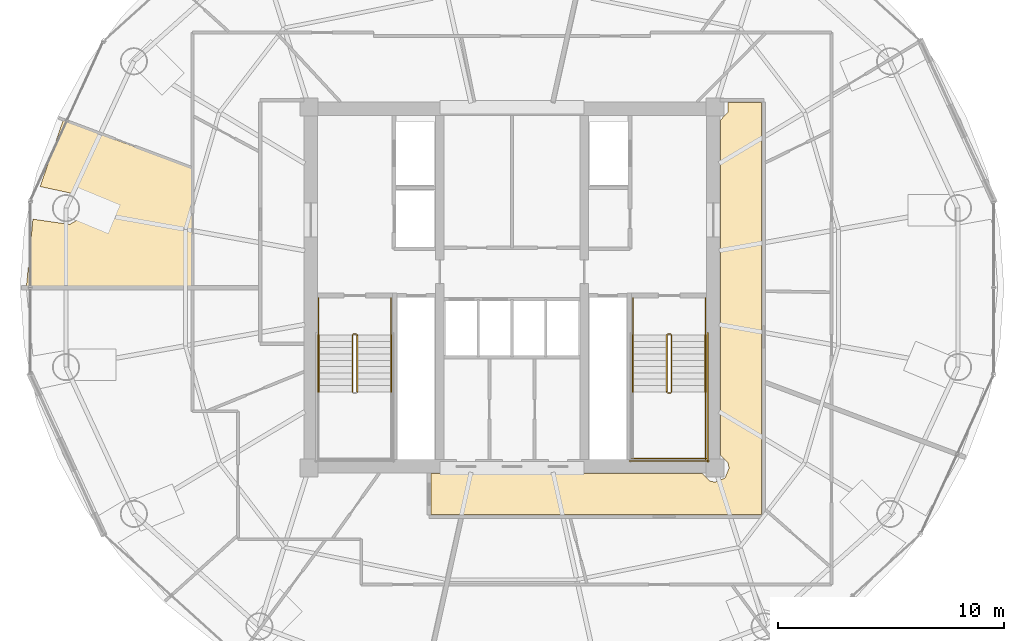
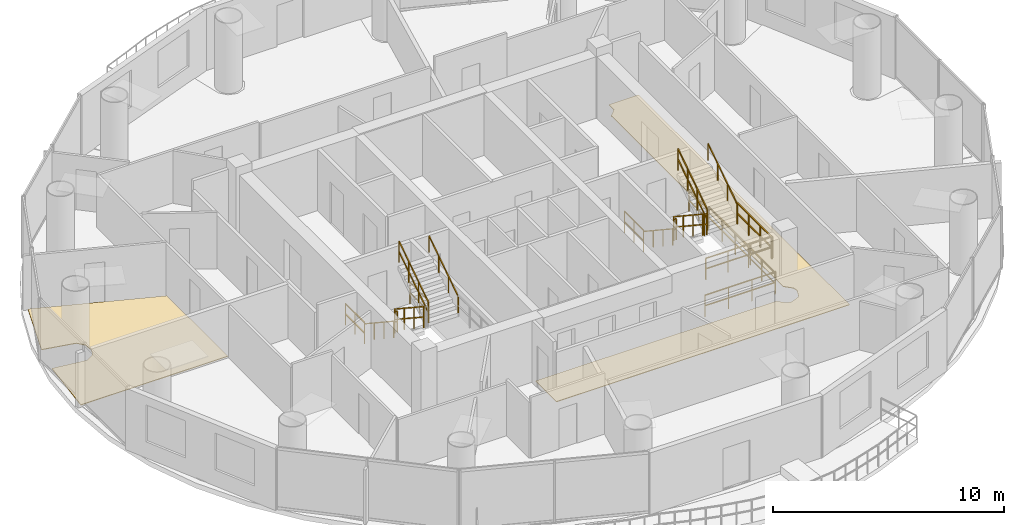
# One storey, part 25 of 26: 19 railings, 2 coverings.
"""IFC4 building model written with IfcOpenShell, lengths in metres."""

import ifcopenshell
import ifcopenshell.guid

model = None  # the IFC model being written
_history = None  # IfcOwnerHistory: only IFC2X3 demands one
_inside = {}  # id of a spatial element -> (the spatial element, [elements in it])
_under = {}  # id of a project, library or spatial element -> (it, [spatial elements below it])
_declared = {}  # id of a project -> (the project, [libraries it declares])
_typed = {}  # id of a type object -> (the type object, [elements of that type])
_made_of = {}  # id of a material, layer set ... -> (it, [elements and type objects made of it])


def new_model(schema):
    """Start an empty IFC model of exactly this schema.

    Asked for "IFC4X3", IfcOpenShell would pick the latest addendum, in which some entities
    have other attributes; the version numbers below select the first issue.
    IFC2X3 requires an IfcOwnerHistory on every rooted entity: one is made here for all.
    """
    global model, _history
    if schema == "IFC4X3":
        model = ifcopenshell.file(schema_version=(4, 3, 0, 0))
    else:
        model = ifcopenshell.file(schema=schema)
    _inside.clear()
    _under.clear()
    _declared.clear()
    _typed.clear()
    _made_of.clear()
    _history = None
    if model.schema == "IFC2X3":
        org = make("IfcOrganization", Name="unknown")
        user = make(
            "IfcPersonAndOrganization",
            ThePerson=make("IfcPerson", FamilyName="unknown"),
            TheOrganization=org,
        )
        app = make(
            "IfcApplication",
            ApplicationDeveloper=org,
            Version="unknown",
            ApplicationFullName="unknown",
            ApplicationIdentifier="unknown",
        )
        _history = make(
            "IfcOwnerHistory",
            OwningUser=user,
            OwningApplication=app,
            ChangeAction="ADDED",
            CreationDate=0,
        )
    return model


def make(cls, **values):
    """One entity of the class cls with the attributes given. An attribute that is None is left unset."""
    return model.create_entity(
        cls, **{name: value for name, value in values.items() if value is not None}
    )


def rooted(cls, **values):
    """An entity with a GlobalId (a new one), such as an element, a storey or a relation."""
    return make(cls, GlobalId=ifcopenshell.guid.new(), OwnerHistory=_history, **values)


def si_unit(unit_type, name, prefix=None):
    """IfcSIUnit, for example si_unit("LENGTHUNIT", "METRE", prefix="MILLI")."""
    return make("IfcSIUnit", UnitType=unit_type, Prefix=prefix, Name=name)


def assignment(units):
    """IfcUnitAssignment: the units of a project."""
    return None if units is None else make("IfcUnitAssignment", Units=units)


def point(xyz):
    """IfcCartesianPoint."""
    return None if xyz is None else make("IfcCartesianPoint", Coordinates=xyz)


def direction(xyz):
    """IfcDirection."""
    return None if xyz is None else make("IfcDirection", DirectionRatios=xyz)


def frame(location, z_axis=None, x_axis=None):
    """IfcAxis2Placement3D, a coordinate frame: its origin and axes. An axis left out is left unset."""
    return make(
        "IfcAxis2Placement3D",
        Location=point(location),
        Axis=direction(z_axis),
        RefDirection=direction(x_axis),
    )


def frame_2d(location, x_axis=None):
    """IfcAxis2Placement2D, a coordinate frame in the plane: its origin and x axis."""
    return make(
        "IfcAxis2Placement2D", Location=point(location), RefDirection=direction(x_axis)
    )


def origin():
    """The frame at (0, 0, 0) with its axes left unset."""
    return frame((0.0, 0.0, 0.0))


def origin_2d():
    """The frame at (0, 0) in the plane with its x axis left unset."""
    return frame_2d((0.0, 0.0))


def place(relative_to, where):
    """IfcLocalPlacement: puts the frame where relative to a parent placement (None: the world)."""
    return make(
        "IfcLocalPlacement", PlacementRelTo=relative_to, RelativePlacement=where
    )


def context(
    kind, dimensions, precision=None, world=None, true_north=None, identifier=None
):
    """IfcGeometricRepresentationContext, for example the 3D "Model" context."""
    return make(
        "IfcGeometricRepresentationContext",
        ContextIdentifier=identifier,
        ContextType=kind,
        CoordinateSpaceDimension=dimensions,
        Precision=precision,
        WorldCoordinateSystem=world,
        TrueNorth=true_north,
    )


def subcontext(parent, identifier, kind, view, scale=None):
    """IfcGeometricRepresentationSubContext, for example "Body" below "Model"."""
    return make(
        "IfcGeometricRepresentationSubContext",
        ContextIdentifier=identifier,
        ContextType=kind,
        ParentContext=parent,
        TargetScale=scale,
        TargetView=view,
    )


def project(units=None, contexts=None):
    """IfcProject with its units and contexts."""
    return rooted(
        "IfcProject",
        Name="project",
        RepresentationContexts=contexts,
        UnitsInContext=assignment(units),
    )


def spatial(cls, under=None, at=None, **own):
    """A site, building, storey or space (cls), placed at a placement, below another one or the project."""
    s = rooted(cls, ObjectPlacement=at, **own)
    if under is not None:
        _under.setdefault(under.id(), (under, []))[1].append(s)
    return s


def polyline(points):
    """IfcPolyline through the points."""
    return make("IfcPolyline", Points=[point(p) for p in points])


def profile(cls, at=None, kind="AREA", **sizes):
    """A parametric profile (cls). Its sizes go by their IFC names, for example OverallWidth=200.0."""
    return make(cls, ProfileType=kind, Position=at, **sizes)


def rectangle(**sizes):
    """IfcRectangleProfileDef."""
    return profile("IfcRectangleProfileDef", **sizes)


def outline(outer, holes=None, kind="AREA"):
    """IfcArbitraryClosedProfileDef: a profile drawn as a closed curve; with holes, ...WithVoids."""
    if holes is None:
        return make("IfcArbitraryClosedProfileDef", ProfileType=kind, OuterCurve=outer)
    return make(
        "IfcArbitraryProfileDefWithVoids",
        ProfileType=kind,
        OuterCurve=outer,
        InnerCurves=holes,
    )


def extrude(swept, where, along, depth):
    """IfcExtrudedAreaSolid: the profile swept, set in the frame where, extruded along a direction by depth."""
    return make(
        "IfcExtrudedAreaSolid",
        SweptArea=swept,
        Position=where,
        ExtrudedDirection=direction(along),
        Depth=depth,
    )


def shape(context_of_items, identifier, shape_type, items):
    """IfcShapeRepresentation: the items that make up one representation, for example the "Body"."""
    return make(
        "IfcShapeRepresentation",
        ContextOfItems=context_of_items,
        RepresentationIdentifier=identifier,
        RepresentationType=shape_type,
        Items=items,
    )


def material(Name=None, Category=None):
    """IfcMaterial."""
    return make("IfcMaterial", Name=Name, Category=Category)


def layer(
    of_material, thickness, ventilated=None, Name=None, Category=None, Priority=None
):
    """IfcMaterialLayer: one layer of a wall or slab, of a material (None: an air gap)."""
    return make(
        "IfcMaterialLayer",
        Material=of_material,
        LayerThickness=thickness,
        IsVentilated=ventilated,
        Name=Name,
        Category=Category,
        Priority=Priority,
    )


def layer_set(layers, Name=None):
    """IfcMaterialLayerSet."""
    return make("IfcMaterialLayerSet", MaterialLayers=layers, LayerSetName=Name)


def made_of(thing, what):
    """Note that an element or type object is made of a material, layer set ...; save() writes the relation."""
    if what is not None:
        _made_of.setdefault(what.id(), (what, []))[1].append(thing)
    return thing


def type_object(cls, material=None, **own):
    """A type object (cls), such as IfcWallType, which elements share."""
    return made_of(rooted(cls, **own), material)


def element(
    cls,
    number,
    at=None,
    inside=None,
    cuts=None,
    type_object=None,
    material=None,
    context=None,
    identifier="Body",
    shape_type=None,
    held_by="IfcProductDefinitionShape",
    body=None,
    shapes=None,
    **own,
):
    """One element of the class cls, such as IfcWall. Its Tag is "e" and its number.

    at: its placement. inside: the storey or other place that contains it. cuts: it is an
    opening in that element (IfcRelVoidsElement). A single representation is given by context,
    identifier, shape_type and body (its items); several are given by shapes. held_by: the class
    of the entity that holds the representations. save() writes the other relations.
    """
    e = rooted(cls, Tag="e%d" % number, ObjectPlacement=at, **own)
    if body is not None:
        shapes = [shape(context, identifier, shape_type, body)]
    if shapes is not None:
        e.Representation = make(held_by, Representations=shapes)
    if inside is not None:
        _inside.setdefault(inside.id(), (inside, []))[1].append(e)
    if cuts is not None:
        rooted(
            "IfcRelVoidsElement", RelatingBuildingElement=cuts, RelatedOpeningElement=e
        )
    if type_object is not None:
        _typed.setdefault(type_object.id(), (type_object, []))[1].append(e)
    return made_of(e, material)


def aggregate(whole, parts):
    """IfcRelAggregates: a whole, such as a stair, and the parts it consists of."""
    return rooted("IfcRelAggregates", RelatingObject=whole, RelatedObjects=parts)


def save(model, path):
    """Write the relations noted so far, then the file.

    IfcRelAggregates (storeys below a building ...), IfcRelContainedInSpatialStructure (elements
    in a storey), IfcRelDefinesByType, IfcRelAssociatesMaterial and IfcRelDeclares: one each for
    every whole, place, type object, material and project.
    """
    for whole, parts in _under.values():
        aggregate(whole, parts)
    for where, things in _inside.values():
        rooted(
            "IfcRelContainedInSpatialStructure",
            RelatedElements=things,
            RelatingStructure=where,
        )
    for kind, things in _typed.values():
        rooted("IfcRelDefinesByType", RelatedObjects=things, RelatingType=kind)
    for what, things in _made_of.values():
        rooted("IfcRelAssociatesMaterial", RelatedObjects=things, RelatingMaterial=what)
    for by, libraries in _declared.values():
        rooted("IfcRelDeclares", RelatingContext=by, RelatedDefinitions=libraries)
    model.write(path)


model = new_model("IFC4")

# Units and contexts
model_context = context("Model", 3, precision=1e-05, world=origin(), true_north=direction((-0.2419218956, 0.970295726276)))
body_context = subcontext(model_context, "Body", "Model", "MODEL_VIEW")
ifc_project = project(units=[si_unit("LENGTHUNIT", "METRE"), si_unit("AREAUNIT", "SQUARE_METRE"), si_unit("VOLUMEUNIT", "CUBIC_METRE"), si_unit("PLANEANGLEUNIT", "RADIAN"), si_unit("MASSUNIT", "GRAM", prefix="KILO")], contexts=[model_context])

# Site, building, storey
site_placement = place(None, origin())
site = spatial("IfcSite", under=ifc_project, at=site_placement, CompositionType="ELEMENT")
building_placement = place(site_placement, origin())
building = spatial("IfcBuilding", under=site, at=building_placement, Name="Cobrevalo Terracotta Tower", CompositionType="ELEMENT")
storey_placement = place(building_placement, frame((0.0, 0.0, 239.300048828125)))
storey = spatial("IfcBuildingStorey", under=building, at=storey_placement, Name="L63", CompositionType="ELEMENT", Elevation=239.300048828125)

# Coverings
ifc_material_1 = material(Name="Engineered Brazilian hardwood flooring", Category="wood")
ifc_layer_1 = layer(ifc_material_1, 0.028076171875)
ifc_layer_set_1 = layer_set([ifc_layer_1], Name="Engineered Brazilian hardwood flooring")
covering_type_1 = type_object("IfcCoveringType", Name="Engineered Hardwood Suite Flooring 28", PredefinedType="FLOORING", material=ifc_layer_set_1)
covering_1_placement = place(storey_placement, origin())
element("IfcCovering", 1, at=covering_1_placement, inside=storey, type_object=covering_type_1, Name="Flat L63B Penthouse Family Lounge floor finish", PredefinedType="FLOORING", context=body_context, shape_type="SweptSolid", body=[
    extrude(outline(polyline([(23.824951171875, 32.08447265625), (23.824951171875, 26.820068359375), (16.4814453125, 26.820068359375), (16.7734375, 29.83056640625), (18.39599609375, 29.5986328125), (18.770751953125, 29.80859375), (18.9658203125, 30.191650390625), (18.9150390625, 30.6181640625), (18.635986328125, 30.94482421875), (17.09228515625, 31.277099609375), (18.114501953125, 34.221923828125), (23.824951171875, 32.08447265625)])), origin(), (0.0, 0.0, 1.0), 0.030029296875),
])
ifc_material_2 = material(Name="Honed terracotta and granite tile", Category="masonry")
ifc_layer_2 = layer(ifc_material_2, 0.034912109375)
ifc_layer_set_2 = layer_set([ifc_layer_2], Name="Honed terracotta and granite tile")
covering_type_2 = type_object("IfcCoveringType", Name="Honed Terracotta & Granite Interior Flooring 35", PredefinedType="FLOORING", material=ifc_layer_set_2)
covering_2_placement = place(storey_placement, origin())
element("IfcCovering", 2, at=covering_2_placement, inside=storey, type_object=covering_type_2, Name="L63 Residential Floor Corridor 1 floor finish", PredefinedType="FLOORING", context=body_context, shape_type="SweptSolid", body=[
    extrude(outline(polyline([(34.419921875, 18.554931640625), (46.431884765625, 18.554931640625), (46.7626953125, 18.226806640625), (47.0, 18.1796875), (47.438720703125, 18.361328125), (47.620361328125, 18.800048828125), (47.5732421875, 19.037353515625), (47.2451171875, 19.3681640625), (47.2451171875, 34.23193359375), (47.5732421875, 34.5625), (47.57958984375, 35.0048828125), (49.054931640625, 35.0048828125), (49.054931640625, 16.7451171875), (34.419921875, 16.7451171875), (34.419921875, 18.554931640625)])), origin(), (0.0, 0.0, 1.0), 0.030029296875),
])

# Railings
ifc_material_3 = material(Name="Brushed stainless steel", Category="steel")
railing_type_1 = type_object("IfcRailingType", Name="Stainless Steel Stair Handrail 900", PredefinedType="HANDRAIL", material=ifc_material_3)
railing_1_placement = place(storey_placement, frame((29.425048828125, 24.699951171875, 0.18505859375)))
element("IfcRailing", 3, at=railing_1_placement, inside=storey, type_object=railing_type_1, Name="L63 ST-1 stair handrail 1", PredefinedType="HANDRAIL", context=body_context, shape_type="SweptSolid", body=[
    extrude(rectangle(XDim=0.048095703125, YDim=0.048095703125, at=origin_2d()), frame((0.0, 0.0, 0.8759765625), z_axis=(0.0, -0.83436851402, 0.551207023552), x_axis=(1.0, 0.0, 0.0)), (0.0, 0.0, 1.0), 3.020263671875),
    extrude(rectangle(XDim=0.0419921875, YDim=0.0419921875, at=origin_2d()), origin(), (0.0, 0.0, 1.0), 0.851806640625),
    extrude(rectangle(XDim=0.0419921875, YDim=0.0419921875, at=origin_2d()), frame((0.0, -0.840087890625, 0.554931640625)), (0.0, 0.0, 1.0), 0.851806640625),
    extrude(rectangle(XDim=0.0419921875, YDim=0.0419921875, at=origin_2d()), frame((0.0, -1.679931640625, 1.10986328125)), (0.0, 0.0, 1.0), 0.851806640625),
    extrude(rectangle(XDim=0.0419921875, YDim=0.0419921875, at=origin_2d()), frame((0.0, -2.52001953125, 1.664794921875)), (0.0, 0.0, 1.0), 0.851806640625),
])
railing_2_placement = place(storey_placement, frame((32.64501953125, 22.179931640625, 2.034912109375)))
element("IfcRailing", 4, at=railing_2_placement, inside=storey, type_object=railing_type_1, Name="L63 ST-1 stair handrail 2", PredefinedType="HANDRAIL", context=body_context, shape_type="SweptSolid", body=[
    extrude(rectangle(XDim=0.048095703125, YDim=0.048095703125, at=origin_2d()), frame((0.0, 0.0, 0.8759765625), z_axis=(0.0, 0.834331337432, 0.55126329406), x_axis=(-1.0, 0.0, 0.0)), (0.0, 0.0, 1.0), 3.0205078125),
    extrude(rectangle(XDim=0.0419921875, YDim=0.0419921875, at=origin_2d()), origin(), (0.0, 0.0, 1.0), 0.851806640625),
    extrude(rectangle(XDim=0.0419921875, YDim=0.0419921875, at=origin_2d()), frame((0.0, 0.840087890625, 0.554931640625)), (0.0, 0.0, 1.0), 0.851806640625),
    extrude(rectangle(XDim=0.0419921875, YDim=0.0419921875, at=origin_2d()), frame((0.0, 1.679931640625, 1.110107421875)), (0.0, 0.0, 1.0), 0.851806640625),
    extrude(rectangle(XDim=0.0419921875, YDim=0.0419921875, at=origin_2d()), frame((0.0, 2.52001953125, 1.6650390625)), (0.0, 0.0, 1.0), 0.851806640625),
])
railing_3_placement = place(storey_placement, frame((43.35498046875, 24.699951171875, 0.18505859375)))
element("IfcRailing", 5, at=railing_3_placement, inside=storey, type_object=railing_type_1, Name="L63 ST-2 stair handrail 1", PredefinedType="HANDRAIL", context=body_context, shape_type="SweptSolid", body=[
    extrude(rectangle(XDim=0.048095703125, YDim=0.048095703125, at=origin_2d()), frame((0.0, 0.0, 0.8759765625), z_axis=(0.0, -0.83436851402, 0.551207023552), x_axis=(1.0, 0.0, 0.0)), (0.0, 0.0, 1.0), 3.020263671875),
    extrude(rectangle(XDim=0.0419921875, YDim=0.0419921875, at=origin_2d()), origin(), (0.0, 0.0, 1.0), 0.851806640625),
    extrude(rectangle(XDim=0.0419921875, YDim=0.0419921875, at=origin_2d()), frame((0.0, -0.840087890625, 0.554931640625)), (0.0, 0.0, 1.0), 0.851806640625),
    extrude(rectangle(XDim=0.0419921875, YDim=0.0419921875, at=origin_2d()), frame((0.0, -1.679931640625, 1.10986328125)), (0.0, 0.0, 1.0), 0.851806640625),
    extrude(rectangle(XDim=0.0419921875, YDim=0.0419921875, at=origin_2d()), frame((0.0, -2.52001953125, 1.664794921875)), (0.0, 0.0, 1.0), 0.851806640625),
])
railing_4_placement = place(storey_placement, frame((46.574951171875, 22.179931640625, 2.034912109375)))
element("IfcRailing", 6, at=railing_4_placement, inside=storey, type_object=railing_type_1, Name="L63 ST-2 stair handrail 2", PredefinedType="HANDRAIL", context=body_context, shape_type="SweptSolid", body=[
    extrude(rectangle(XDim=0.048095703125, YDim=0.048095703125, at=origin_2d()), frame((0.0, 0.0, 0.8759765625), z_axis=(0.0, 0.834331337432, 0.55126329406), x_axis=(-1.0, 0.0, 0.0)), (0.0, 0.0, 1.0), 3.0205078125),
    extrude(rectangle(XDim=0.0419921875, YDim=0.0419921875, at=origin_2d()), origin(), (0.0, 0.0, 1.0), 0.851806640625),
    extrude(rectangle(XDim=0.0419921875, YDim=0.0419921875, at=origin_2d()), frame((0.0, 0.840087890625, 0.554931640625)), (0.0, 0.0, 1.0), 0.851806640625),
    extrude(rectangle(XDim=0.0419921875, YDim=0.0419921875, at=origin_2d()), frame((0.0, 1.679931640625, 1.110107421875)), (0.0, 0.0, 1.0), 0.851806640625),
    extrude(rectangle(XDim=0.0419921875, YDim=0.0419921875, at=origin_2d()), frame((0.0, 2.52001953125, 1.6650390625)), (0.0, 0.0, 1.0), 0.851806640625),
])
ifc_material_4 = material(Name="Painted galvanized steel", Category="steel")
railing_type_2 = type_object("IfcRailingType", Name="Stair Well Guard Balustrade 1150", PredefinedType="GUARDRAIL", material=ifc_material_4)
railing_5_placement = place(storey_placement, frame((30.925048828125, 24.699951171875, 0.18505859375)))
element("IfcRailing", 7, at=railing_5_placement, inside=storey, type_object=railing_type_2, Name="L63 ST-1 stair guard 1", PredefinedType="GUARDRAIL", context=body_context, shape_type="SweptSolid", body=[
    extrude(rectangle(XDim=0.048095703125, YDim=0.048095703125, at=origin_2d()), frame((0.0, 0.0, 1.1259765625), z_axis=(0.0, -0.83436851402, 0.551207023552), x_axis=(1.0, 0.0, 0.0)), (0.0, 0.0, 1.0), 3.020263671875),
    extrude(rectangle(XDim=0.048095703125, YDim=0.048095703125, at=origin_2d()), frame((0.0, 0.0, 0.574951171875), z_axis=(0.0, -0.83436851402, 0.551207023552), x_axis=(1.0, 0.0, 0.0)), (0.0, 0.0, 1.0), 3.020263671875),
    extrude(rectangle(XDim=0.0419921875, YDim=0.0419921875, at=origin_2d()), origin(), (0.0, 0.0, 1.0), 1.101806640625),
    extrude(rectangle(XDim=0.0419921875, YDim=0.0419921875, at=origin_2d()), frame((0.0, -0.840087890625, 0.554931640625)), (0.0, 0.0, 1.0), 1.101806640625),
    extrude(rectangle(XDim=0.0419921875, YDim=0.0419921875, at=origin_2d()), frame((0.0, -1.679931640625, 1.10986328125)), (0.0, 0.0, 1.0), 1.101806640625),
    extrude(rectangle(XDim=0.0419921875, YDim=0.0419921875, at=origin_2d()), frame((0.0, -2.52001953125, 1.664794921875)), (0.0, 0.0, 1.0), 1.101806640625),
])
railing_6_placement = place(storey_placement, frame((31.14501953125, 22.179931640625, 2.034912109375)))
element("IfcRailing", 8, at=railing_6_placement, inside=storey, type_object=railing_type_2, Name="L63 ST-1 stair guard 6", PredefinedType="GUARDRAIL", context=body_context, shape_type="SweptSolid", body=[
    extrude(rectangle(XDim=0.048095703125, YDim=0.048095703125, at=origin_2d()), frame((0.0, 0.0, 1.1259765625), z_axis=(0.0, 0.834331337432, 0.55126329406), x_axis=(-1.0, 0.0, 0.0)), (0.0, 0.0, 1.0), 3.0205078125),
    extrude(rectangle(XDim=0.048095703125, YDim=0.048095703125, at=origin_2d()), frame((0.0, 0.0, 0.574951171875), z_axis=(0.0, 0.834331337432, 0.55126329406), x_axis=(-1.0, 0.0, 0.0)), (0.0, 0.0, 1.0), 3.0205078125),
    extrude(rectangle(XDim=0.0419921875, YDim=0.0419921875, at=origin_2d()), origin(), (0.0, 0.0, 1.0), 1.101806640625),
    extrude(rectangle(XDim=0.0419921875, YDim=0.0419921875, at=origin_2d()), frame((0.0, 0.840087890625, 0.554931640625)), (0.0, 0.0, 1.0), 1.101806640625),
    extrude(rectangle(XDim=0.0419921875, YDim=0.0419921875, at=origin_2d()), frame((0.0, 1.679931640625, 1.110107421875)), (0.0, 0.0, 1.0), 1.101806640625),
    extrude(rectangle(XDim=0.0419921875, YDim=0.0419921875, at=origin_2d()), frame((0.0, 2.52001953125, 1.6650390625)), (0.0, 0.0, 1.0), 1.101806640625),
])
railing_7_placement = place(storey_placement, frame((30.97509765625, 24.75, 0.0)))
element("IfcRailing", 9, at=railing_7_placement, inside=storey, type_object=railing_type_2, Name="L63 ST-1 stair guard 7", PredefinedType="GUARDRAIL", context=body_context, shape_type="SweptSolid", body=[
    extrude(rectangle(XDim=0.048095703125, YDim=0.048095703125, at=origin_2d()), frame((0.0, 0.0, 1.1259765625), z_axis=(1.0, 0.0, 0.0), x_axis=(0.0, 1.0, 0.0)), (0.0, 0.0, 1.0), 0.119873046875),
    extrude(rectangle(XDim=0.048095703125, YDim=0.048095703125, at=origin_2d()), frame((0.0, 0.0, 0.574951171875), z_axis=(1.0, 0.0, 0.0), x_axis=(0.0, 1.0, 0.0)), (0.0, 0.0, 1.0), 0.119873046875),
    extrude(rectangle(XDim=0.0419921875, YDim=0.0419921875, at=origin_2d()), origin(), (0.0, 0.0, 1.0), 1.101806640625),
    extrude(rectangle(XDim=0.0419921875, YDim=0.0419921875, at=origin_2d()), frame((0.119873046875, 0.0, 0.0)), (0.0, 0.0, 1.0), 1.101806640625),
])
for number, where, name in (
    (10, (29.425048828125, 26.35009765625, 0.0), "L63 ST-1 stair guard 8"),
    (11, (32.64501953125, 26.35009765625, 0.0), "L63 ST-1 stair guard 9"),
):
    element("IfcRailing", number, at=place(storey_placement, frame(where)), inside=storey, type_object=railing_type_2, Name=name, PredefinedType="GUARDRAIL", context=body_context, shape_type="SweptSolid", body=[
        extrude(rectangle(XDim=0.048095703125, YDim=0.048095703125, at=origin_2d()), frame((0.0, 0.0, 1.1259765625), z_axis=(0.0, -1.0, 0.0), x_axis=(1.0, 0.0, 0.0)), (0.0, 0.0, 1.0), 1.650146484375),
        extrude(rectangle(XDim=0.048095703125, YDim=0.048095703125, at=origin_2d()), frame((0.0, 0.0, 0.574951171875), z_axis=(0.0, -1.0, 0.0), x_axis=(1.0, 0.0, 0.0)), (0.0, 0.0, 1.0), 1.650146484375),
        extrude(rectangle(XDim=0.0419921875, YDim=0.0419921875, at=origin_2d()), origin(), (0.0, 0.0, 1.0), 1.101806640625),
        extrude(rectangle(XDim=0.0419921875, YDim=0.0419921875, at=origin_2d()), frame((0.0, -0.8251953125, 0.0)), (0.0, 0.0, 1.0), 1.101806640625),
        extrude(rectangle(XDim=0.0419921875, YDim=0.0419921875, at=origin_2d()), frame((0.0, -1.650146484375, 0.0)), (0.0, 0.0, 1.0), 1.101806640625),
    ])
railing_8_placement = place(storey_placement, frame((44.85498046875, 24.699951171875, 0.18505859375)))
element("IfcRailing", 12, at=railing_8_placement, inside=storey, type_object=railing_type_2, Name="L63 ST-2 stair guard 1", PredefinedType="GUARDRAIL", context=body_context, shape_type="SweptSolid", body=[
    extrude(rectangle(XDim=0.048095703125, YDim=0.048095703125, at=origin_2d()), frame((0.0, 0.0, 1.1259765625), z_axis=(0.0, -0.83436851402, 0.551207023552), x_axis=(1.0, 0.0, 0.0)), (0.0, 0.0, 1.0), 3.020263671875),
    extrude(rectangle(XDim=0.048095703125, YDim=0.048095703125, at=origin_2d()), frame((0.0, 0.0, 0.574951171875), z_axis=(0.0, -0.83436851402, 0.551207023552), x_axis=(1.0, 0.0, 0.0)), (0.0, 0.0, 1.0), 3.020263671875),
    extrude(rectangle(XDim=0.0419921875, YDim=0.0419921875, at=origin_2d()), origin(), (0.0, 0.0, 1.0), 1.101806640625),
    extrude(rectangle(XDim=0.0419921875, YDim=0.0419921875, at=origin_2d()), frame((0.0, -0.840087890625, 0.554931640625)), (0.0, 0.0, 1.0), 1.101806640625),
    extrude(rectangle(XDim=0.0419921875, YDim=0.0419921875, at=origin_2d()), frame((0.0, -1.679931640625, 1.10986328125)), (0.0, 0.0, 1.0), 1.101806640625),
    extrude(rectangle(XDim=0.0419921875, YDim=0.0419921875, at=origin_2d()), frame((0.0, -2.52001953125, 1.664794921875)), (0.0, 0.0, 1.0), 1.101806640625),
])
railing_9_placement = place(storey_placement, frame((44.905029296875, 22.1298828125, 1.849853515625)))
element("IfcRailing", 13, at=railing_9_placement, inside=storey, type_object=railing_type_2, Name="L63 ST-2 stair guard 2", PredefinedType="GUARDRAIL", context=body_context, shape_type="SweptSolid", body=[
    extrude(rectangle(XDim=0.048095703125, YDim=0.048095703125, at=origin_2d()), frame((0.0, 0.0, 1.1259765625), z_axis=(1.0, 0.0, 0.0), x_axis=(0.0, 1.0, 0.0)), (0.0, 0.0, 1.0), 0.119873046875),
    extrude(rectangle(XDim=0.048095703125, YDim=0.048095703125, at=origin_2d()), frame((0.0, 0.0, 0.574951171875), z_axis=(1.0, 0.0, 0.0), x_axis=(0.0, 1.0, 0.0)), (0.0, 0.0, 1.0), 0.119873046875),
    extrude(rectangle(XDim=0.0419921875, YDim=0.0419921875, at=origin_2d()), origin(), (0.0, 0.0, 1.0), 1.101806640625),
    extrude(rectangle(XDim=0.0419921875, YDim=0.0419921875, at=origin_2d()), frame((0.119873046875, 0.0, 0.0)), (0.0, 0.0, 1.0), 1.101806640625),
])
railing_10_placement = place(storey_placement, frame((46.574951171875, 22.179931640625, 1.849853515625)))
element("IfcRailing", 14, at=railing_10_placement, inside=storey, type_object=railing_type_2, Name="L63 ST-2 stair guard 4", PredefinedType="GUARDRAIL", context=body_context, shape_type="SweptSolid", body=[
    extrude(rectangle(XDim=0.048095703125, YDim=0.048095703125, at=origin_2d()), frame((0.0, 0.0, 1.1259765625), z_axis=(0.0, -1.0, 0.0), x_axis=(1.0, 0.0, 0.0)), (0.0, 0.0, 1.0), 3.0048828125),
    extrude(rectangle(XDim=0.048095703125, YDim=0.048095703125, at=origin_2d()), frame((0.0, 0.0, 0.574951171875), z_axis=(0.0, -1.0, 0.0), x_axis=(1.0, 0.0, 0.0)), (0.0, 0.0, 1.0), 3.0048828125),
    extrude(rectangle(XDim=0.0419921875, YDim=0.0419921875, at=origin_2d()), origin(), (0.0, 0.0, 1.0), 1.101806640625),
    extrude(rectangle(XDim=0.0419921875, YDim=0.0419921875, at=origin_2d()), frame((0.0, -1.001708984375, 0.0)), (0.0, 0.0, 1.0), 1.101806640625),
    extrude(rectangle(XDim=0.0419921875, YDim=0.0419921875, at=origin_2d()), frame((0.0, -2.003173828125, 0.0)), (0.0, 0.0, 1.0), 1.101806640625),
    extrude(rectangle(XDim=0.0419921875, YDim=0.0419921875, at=origin_2d()), frame((0.0, -3.0048828125, 0.0)), (0.0, 0.0, 1.0), 1.101806640625),
])
railing_11_placement = place(storey_placement, frame((43.304931640625, 19.22509765625, 1.849853515625)))
element("IfcRailing", 15, at=railing_11_placement, inside=storey, type_object=railing_type_2, Name="L63 ST-2 stair guard 5", PredefinedType="GUARDRAIL", context=body_context, shape_type="SweptSolid", body=[
    extrude(rectangle(XDim=0.048095703125, YDim=0.048095703125, at=origin_2d()), frame((0.0, 0.0, 1.1259765625), z_axis=(1.0, 0.0, 0.0), x_axis=(0.0, 1.0, 0.0)), (0.0, 0.0, 1.0), 3.320068359375),
    extrude(rectangle(XDim=0.048095703125, YDim=0.048095703125, at=origin_2d()), frame((0.0, 0.0, 0.574951171875), z_axis=(1.0, 0.0, 0.0), x_axis=(0.0, 1.0, 0.0)), (0.0, 0.0, 1.0), 3.320068359375),
    extrude(rectangle(XDim=0.0419921875, YDim=0.0419921875, at=origin_2d()), origin(), (0.0, 0.0, 1.0), 1.101806640625),
    extrude(rectangle(XDim=0.0419921875, YDim=0.0419921875, at=origin_2d()), frame((1.106689453125, 0.0, 0.0)), (0.0, 0.0, 1.0), 1.101806640625),
    extrude(rectangle(XDim=0.0419921875, YDim=0.0419921875, at=origin_2d()), frame((2.21337890625, 0.0, 0.0)), (0.0, 0.0, 1.0), 1.101806640625),
    extrude(rectangle(XDim=0.0419921875, YDim=0.0419921875, at=origin_2d()), frame((3.320068359375, 0.0, 0.0)), (0.0, 0.0, 1.0), 1.101806640625),
])
railing_12_placement = place(storey_placement, frame((45.074951171875, 22.179931640625, 2.034912109375)))
element("IfcRailing", 16, at=railing_12_placement, inside=storey, type_object=railing_type_2, Name="L63 ST-2 stair guard 6", PredefinedType="GUARDRAIL", context=body_context, shape_type="SweptSolid", body=[
    extrude(rectangle(XDim=0.048095703125, YDim=0.048095703125, at=origin_2d()), frame((0.0, 0.0, 1.1259765625), z_axis=(0.0, 0.834331337432, 0.55126329406), x_axis=(-1.0, 0.0, 0.0)), (0.0, 0.0, 1.0), 3.0205078125),
    extrude(rectangle(XDim=0.048095703125, YDim=0.048095703125, at=origin_2d()), frame((0.0, 0.0, 0.574951171875), z_axis=(0.0, 0.834331337432, 0.55126329406), x_axis=(-1.0, 0.0, 0.0)), (0.0, 0.0, 1.0), 3.0205078125),
    extrude(rectangle(XDim=0.0419921875, YDim=0.0419921875, at=origin_2d()), origin(), (0.0, 0.0, 1.0), 1.101806640625),
    extrude(rectangle(XDim=0.0419921875, YDim=0.0419921875, at=origin_2d()), frame((0.0, 0.840087890625, 0.554931640625)), (0.0, 0.0, 1.0), 1.101806640625),
    extrude(rectangle(XDim=0.0419921875, YDim=0.0419921875, at=origin_2d()), frame((0.0, 1.679931640625, 1.110107421875)), (0.0, 0.0, 1.0), 1.101806640625),
    extrude(rectangle(XDim=0.0419921875, YDim=0.0419921875, at=origin_2d()), frame((0.0, 2.52001953125, 1.6650390625)), (0.0, 0.0, 1.0), 1.101806640625),
])
railing_13_placement = place(storey_placement, frame((44.905029296875, 24.75, 0.0)))
element("IfcRailing", 17, at=railing_13_placement, inside=storey, type_object=railing_type_2, Name="L63 ST-2 stair guard 7", PredefinedType="GUARDRAIL", context=body_context, shape_type="SweptSolid", body=[
    extrude(rectangle(XDim=0.048095703125, YDim=0.048095703125, at=origin_2d()), frame((0.0, 0.0, 1.1259765625), z_axis=(1.0, 0.0, 0.0), x_axis=(0.0, 1.0, 0.0)), (0.0, 0.0, 1.0), 0.119873046875),
    extrude(rectangle(XDim=0.048095703125, YDim=0.048095703125, at=origin_2d()), frame((0.0, 0.0, 0.574951171875), z_axis=(1.0, 0.0, 0.0), x_axis=(0.0, 1.0, 0.0)), (0.0, 0.0, 1.0), 0.119873046875),
    extrude(rectangle(XDim=0.0419921875, YDim=0.0419921875, at=origin_2d()), origin(), (0.0, 0.0, 1.0), 1.101806640625),
    extrude(rectangle(XDim=0.0419921875, YDim=0.0419921875, at=origin_2d()), frame((0.119873046875, 0.0, 0.0)), (0.0, 0.0, 1.0), 1.101806640625),
])
for number, where, name in (
    (18, (43.35498046875, 26.35009765625, 0.0), "L63 ST-2 stair guard 8"),
    (19, (46.574951171875, 26.35009765625, 0.0), "L63 ST-2 stair guard 9"),
):
    element("IfcRailing", number, at=place(storey_placement, frame(where)), inside=storey, type_object=railing_type_2, Name=name, PredefinedType="GUARDRAIL", context=body_context, shape_type="SweptSolid", body=[
        extrude(rectangle(XDim=0.048095703125, YDim=0.048095703125, at=origin_2d()), frame((0.0, 0.0, 1.1259765625), z_axis=(0.0, -1.0, 0.0), x_axis=(1.0, 0.0, 0.0)), (0.0, 0.0, 1.0), 1.650146484375),
        extrude(rectangle(XDim=0.048095703125, YDim=0.048095703125, at=origin_2d()), frame((0.0, 0.0, 0.574951171875), z_axis=(0.0, -1.0, 0.0), x_axis=(1.0, 0.0, 0.0)), (0.0, 0.0, 1.0), 1.650146484375),
        extrude(rectangle(XDim=0.0419921875, YDim=0.0419921875, at=origin_2d()), origin(), (0.0, 0.0, 1.0), 1.101806640625),
        extrude(rectangle(XDim=0.0419921875, YDim=0.0419921875, at=origin_2d()), frame((0.0, -0.8251953125, 0.0)), (0.0, 0.0, 1.0), 1.101806640625),
        extrude(rectangle(XDim=0.0419921875, YDim=0.0419921875, at=origin_2d()), frame((0.0, -1.650146484375, 0.0)), (0.0, 0.0, 1.0), 1.101806640625),
    ])
railing_14_placement = place(storey_placement, frame((46.675048828125, 24.800048828125, 0.0)))
element("IfcRailing", 20, at=railing_14_placement, inside=storey, type_object=railing_type_2, Name="L63 ST-2 stair guard 11", PredefinedType="GUARDRAIL", context=body_context, shape_type="SweptSolid", body=[
    extrude(rectangle(XDim=0.048095703125, YDim=0.048095703125, at=origin_2d()), frame((0.0, 0.0, 1.1259765625), z_axis=(0.0, -1.0, 0.0), x_axis=(1.0, 0.0, 0.0)), (0.0, 0.0, 1.0), 5.72509765625),
    extrude(rectangle(XDim=0.048095703125, YDim=0.048095703125, at=origin_2d()), frame((0.0, 0.0, 0.574951171875), z_axis=(0.0, -1.0, 0.0), x_axis=(1.0, 0.0, 0.0)), (0.0, 0.0, 1.0), 5.72509765625),
    extrude(rectangle(XDim=0.0419921875, YDim=0.0419921875, at=origin_2d()), origin(), (0.0, 0.0, 1.0), 1.101806640625),
    extrude(rectangle(XDim=0.0419921875, YDim=0.0419921875, at=origin_2d()), frame((0.0, -1.14501953125, 0.0)), (0.0, 0.0, 1.0), 1.101806640625),
    extrude(rectangle(XDim=0.0419921875, YDim=0.0419921875, at=origin_2d()), frame((0.0, -2.2900390625, 0.0)), (0.0, 0.0, 1.0), 1.101806640625),
    extrude(rectangle(XDim=0.0419921875, YDim=0.0419921875, at=origin_2d()), frame((0.0, -3.43505859375, 0.0)), (0.0, 0.0, 1.0), 1.101806640625),
    extrude(rectangle(XDim=0.0419921875, YDim=0.0419921875, at=origin_2d()), frame((0.0, -4.580078125, 0.0)), (0.0, 0.0, 1.0), 1.101806640625),
    extrude(rectangle(XDim=0.0419921875, YDim=0.0419921875, at=origin_2d()), frame((0.0, -5.72509765625, 0.0)), (0.0, 0.0, 1.0), 1.101806640625),
])
railing_15_placement = place(storey_placement, frame((43.205078125, 19.125, 0.0)))
element("IfcRailing", 21, at=railing_15_placement, inside=storey, type_object=railing_type_2, Name="L63 ST-2 stair guard 12", PredefinedType="GUARDRAIL", context=body_context, shape_type="SweptSolid", body=[
    extrude(rectangle(XDim=0.048095703125, YDim=0.048095703125, at=origin_2d()), frame((0.0, 0.0, 1.1259765625), z_axis=(1.0, 0.0, 0.0), x_axis=(0.0, 1.0, 0.0)), (0.0, 0.0, 1.0), 3.52001953125),
    extrude(rectangle(XDim=0.048095703125, YDim=0.048095703125, at=origin_2d()), frame((0.0, 0.0, 0.574951171875), z_axis=(1.0, 0.0, 0.0), x_axis=(0.0, 1.0, 0.0)), (0.0, 0.0, 1.0), 3.52001953125),
    extrude(rectangle(XDim=0.0419921875, YDim=0.0419921875, at=origin_2d()), origin(), (0.0, 0.0, 1.0), 1.101806640625),
    extrude(rectangle(XDim=0.0419921875, YDim=0.0419921875, at=origin_2d()), frame((1.17333984375, 0.0, 0.0)), (0.0, 0.0, 1.0), 1.101806640625),
    extrude(rectangle(XDim=0.0419921875, YDim=0.0419921875, at=origin_2d()), frame((2.3466796875, 0.0, 0.0)), (0.0, 0.0, 1.0), 1.101806640625),
    extrude(rectangle(XDim=0.0419921875, YDim=0.0419921875, at=origin_2d()), frame((3.52001953125, 0.0, 0.0)), (0.0, 0.0, 1.0), 1.101806640625),
])

save(model, "model.ifc")
